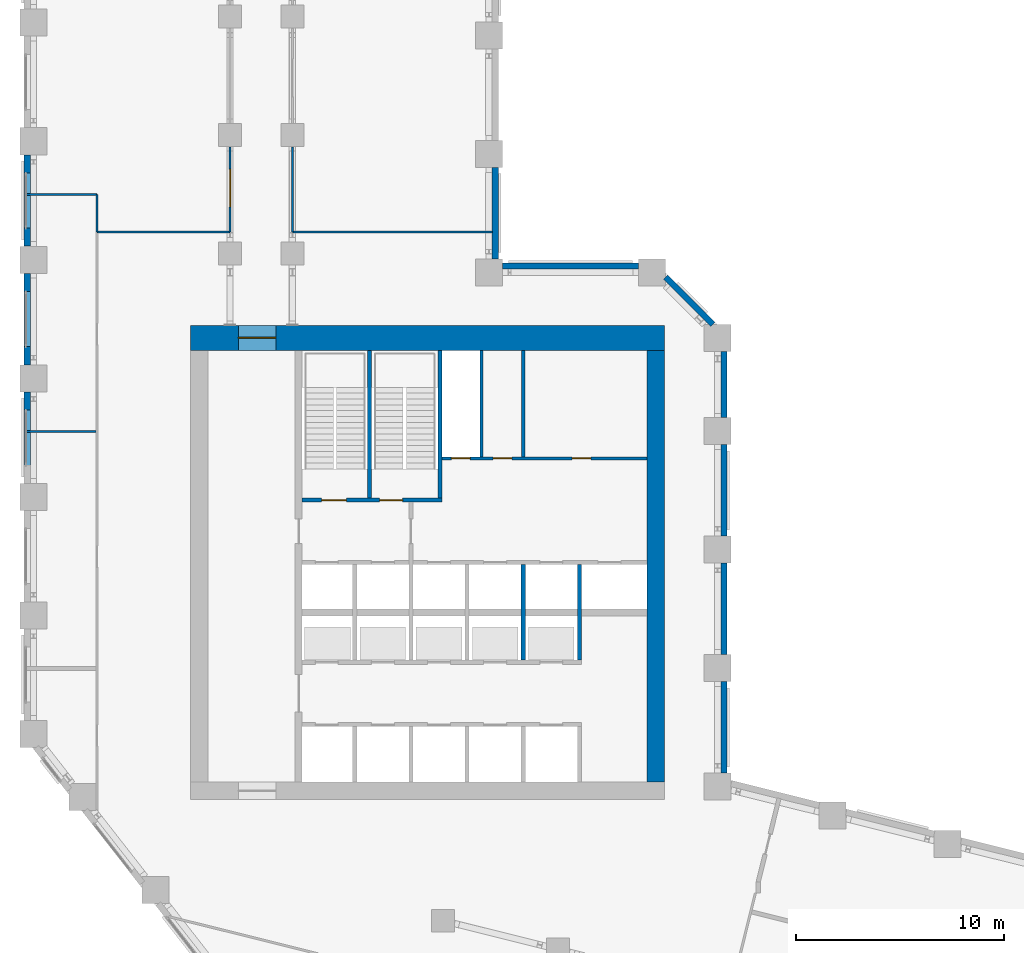
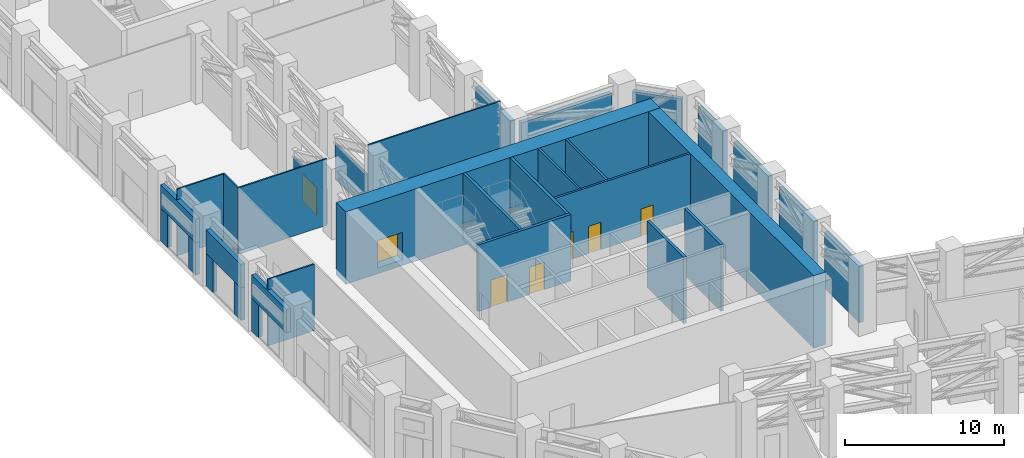
# One storey, part 15 of 21: 32 walls, 7 doors, 7 openings.
"""IFC4 building model written with IfcOpenShell, lengths in metres."""

from ifc_helpers import new_model, si_unit, direction, frame, frame_2d, origin, place, context, subcontext, project, spatial, rectangle, extrude, material, layer, layer_set, type_object, element, fill, save


model = new_model("IFC4")

# Units and contexts
model_context = context("Model", 3, precision=1e-05, world=origin(), true_north=direction((0.0, 1.0)))
body_context = subcontext(model_context, "Body", "Model", "MODEL_VIEW")
ifc_project = project(units=[si_unit("LENGTHUNIT", "METRE"), si_unit("AREAUNIT", "SQUARE_METRE"), si_unit("VOLUMEUNIT", "CUBIC_METRE"), si_unit("PLANEANGLEUNIT", "RADIAN"), si_unit("MASSUNIT", "GRAM", prefix="KILO")], contexts=[model_context])

# Site, building, storey
site_placement = place(None, origin())
site = spatial("IfcSite", under=ifc_project, at=site_placement, CompositionType="ELEMENT")
building_placement = place(site_placement, origin())
building = spatial("IfcBuilding", under=site, at=building_placement, Name="Meshkara Civic Tower", CompositionType="ELEMENT")
storey_placement = place(building_placement, frame((0.0, 0.0, 156.0)))
storey = spatial("IfcBuildingStorey", under=building, at=storey_placement, Name="L35", CompositionType="ELEMENT", Elevation=156.0)

# Wall, openings, doors
ifc_material_1 = material(Name="Blockwork", Category="masonry")
ifc_layer_1 = layer(ifc_material_1, 0.14990234375)
ifc_layer_set_1 = layer_set([ifc_layer_1], Name="Core partition 150")
wall_type_1 = type_object("IfcWallType", Name="Core partition 150", PredefinedType="PARTITIONING", material=ifc_layer_set_1)
wall_1_placement = place(storey_placement, frame((20.10009765625, 30.5, 0.0), z_axis=(0.0, 0.0, 1.0), x_axis=(1.0, 0.0, 0.0)))
wall_1 = element("IfcWall", 1, at=wall_1_placement, inside=storey, type_object=wall_type_1, Name="L35-C010", PredefinedType="PARTITIONING", context=body_context, shape_type="SweptSolid", body=[
    extrude(rectangle(XDim=9.849853515625, YDim=0.14990234375, at=frame_2d((4.9248046875, 0.0))), origin(), (0.0, 0.0, 1.0), 5.10009765625),
])
opening_1_placement = place(wall_1_placement, frame((0.449951171875, 0.0, 0.0)))
opening_1 = element("IfcOpeningElement", 2, at=opening_1_placement, cuts=wall_1, Name="Opening L35-K017", PredefinedType="OPENING", context=body_context, shape_type="SweptSolid", body=[
    extrude(rectangle(XDim=0.89990234375, YDim=2.10009765625, at=frame_2d((0.449951171875, 1.050048828125))), frame((0.0, 0.0849609375, 0.0), z_axis=(0.0, -1.0, 0.0), x_axis=(1.0, 0.0, 0.0)), (0.0, 0.0, 1.0), 0.169921875),
])
opening_2_placement = place(wall_1_placement, frame((2.449951171875, 0.0, 0.0)))
opening_2 = element("IfcOpeningElement", 3, at=opening_2_placement, cuts=wall_1, Name="Opening L35-K018", PredefinedType="OPENING", context=body_context, shape_type="SweptSolid", body=[
    extrude(rectangle(XDim=0.89990234375, YDim=2.10009765625, at=frame_2d((0.449951171875, 1.050048828125))), frame((0.0, 0.0849609375, 0.0), z_axis=(0.0, -1.0, 0.0), x_axis=(1.0, 0.0, 0.0)), (0.0, 0.0, 1.0), 0.169921875),
])
opening_3_placement = place(wall_1_placement, frame((6.25, 0.0, 0.0)))
opening_3 = element("IfcOpeningElement", 4, at=opening_3_placement, cuts=wall_1, Name="Opening L35-K019", PredefinedType="OPENING", context=body_context, shape_type="SweptSolid", body=[
    extrude(rectangle(XDim=0.89990234375, YDim=2.10009765625, at=frame_2d((0.449951171875, 1.050048828125))), frame((0.0, 0.0849609375, 0.0), z_axis=(0.0, -1.0, 0.0), x_axis=(1.0, 0.0, 0.0)), (0.0, 0.0, 1.0), 0.169921875),
])
ifc_material_2 = material(Name="Timber door leaf in steel frame", Category="steel")
door_type_1 = type_object("IfcDoorType", Name="Core room door 900", OperationType="SINGLE_SWING_LEFT", PredefinedType="DOOR", material=ifc_material_2)
door_1_placement = place(opening_3_placement, origin())
door_1 = element("IfcDoor", 5, at=door_1_placement, inside=storey, type_object=door_type_1, Name="L35-K019", OperationType="SINGLE_SWING_RIGHT", OverallHeight=2.10009765625, OverallWidth=0.89990234375, PredefinedType="DOOR", context=body_context, shape_type="SweptSolid", body=[
    extrude(rectangle(XDim=0.89990234375, YDim=2.10009765625, at=frame_2d((0.449951171875, 1.050048828125))), frame((0.0, 0.02490234375, 0.0), z_axis=(0.0, -1.0, 0.0), x_axis=(1.0, 0.0, 0.0)), (0.0, 0.0, 1.0), 0.050048828125),
])
fill(opening_3, door_1)
ifc_material_3 = material(Name="Fire-rated door leaf in steel frame", Category="steel")
door_type_2 = type_object("IfcDoorType", Name="Riser door 900", OperationType="SINGLE_SWING_LEFT", PredefinedType="DOOR", material=ifc_material_3)
door_2_placement = place(opening_1_placement, origin())
door_2 = element("IfcDoor", 6, at=door_2_placement, inside=storey, type_object=door_type_2, Name="L35-K017", OperationType="SINGLE_SWING_RIGHT", OverallHeight=2.10009765625, OverallWidth=0.89990234375, PredefinedType="DOOR", context=body_context, shape_type="SweptSolid", body=[
    extrude(rectangle(XDim=0.89990234375, YDim=2.10009765625, at=frame_2d((0.449951171875, 1.050048828125))), frame((0.0, 0.02490234375, 0.0), z_axis=(0.0, -1.0, 0.0), x_axis=(1.0, 0.0, 0.0)), (0.0, 0.0, 1.0), 0.050048828125),
])
fill(opening_1, door_2)
ifc_material_4 = material(Name="Timber door leaf in steel frame", Category="steel")
door_type_3 = type_object("IfcDoorType", Name="WC door 900", OperationType="SINGLE_SWING_LEFT", PredefinedType="DOOR", material=ifc_material_4)
door_3_placement = place(opening_2_placement, origin())
door_3 = element("IfcDoor", 7, at=door_3_placement, inside=storey, type_object=door_type_3, Name="L35-K018", OperationType="SINGLE_SWING_LEFT", OverallHeight=2.10009765625, OverallWidth=0.89990234375, PredefinedType="DOOR", context=body_context, shape_type="SweptSolid", body=[
    extrude(rectangle(XDim=0.89990234375, YDim=2.10009765625, at=frame_2d((0.449951171875, 1.050048828125))), frame((0.0, 0.02490234375, 0.0), z_axis=(0.0, -1.0, 0.0), x_axis=(1.0, 0.0, 0.0)), (0.0, 0.0, 1.0), 0.050048828125),
])
fill(opening_2, door_3)

# Walls
for number, where, z_axis, x_axis, name in (
    (8, (22.0, 30.574951171875, 0.0), (0.0, 0.0, 1.0), (0.0, 1.0, 0.0), "L35-C020"),
    (9, (24.0, 30.574951171875, 0.0), (0.0, 0.0, 1.0), (0.0, 1.0, 0.0), "L35-C023"),
):
    element("IfcWall", number, at=place(storey_placement, frame(where, z_axis=z_axis, x_axis=x_axis)), inside=storey, type_object=wall_type_1, Name=name, PredefinedType="PARTITIONING", context=body_context, shape_type="SweptSolid", body=[
        extrude(rectangle(XDim=5.125, YDim=0.14990234375, at=frame_2d((2.5625, 0.0))), origin(), (0.0, 0.0, 1.0), 5.10009765625),
    ])

# Wall, opening, door
ifc_material_5 = material(Name="Concrete C70", Category="concrete")
ifc_layer_2 = layer(ifc_material_5, 1.199951171875)
ifc_layer_set_2 = layer_set([ifc_layer_2], Name="Core ring wall 1200 C70")
wall_type_2 = type_object("IfcWallType", Name="Core ring wall 1200 C70", PredefinedType="SHEAR", material=ifc_layer_set_2)
wall_2_placement = place(storey_placement, frame((8.0, 36.300048828125, -0.449951171875), z_axis=(0.0, 0.0, 1.0), x_axis=(1.0, 0.0, 0.0)))
wall_2 = element("IfcWall", 10, at=wall_2_placement, inside=storey, type_object=wall_type_2, Name="L35-C002", PredefinedType="SHEAR", context=body_context, shape_type="SweptSolid", body=[
    extrude(rectangle(XDim=22.800048828125, YDim=1.199951171875, at=frame_2d((11.39990234375, 0.0))), origin(), (0.0, 0.0, 1.0), 5.550048828125),
])
opening_4_placement = place(wall_2_placement, frame((2.300048828125, 0.0, 0.449951171875)))
opening_4 = element("IfcOpeningElement", 11, at=opening_4_placement, cuts=wall_2, Name="Opening L35-K025", PredefinedType="OPENING", context=body_context, shape_type="SweptSolid", body=[
    extrude(rectangle(XDim=1.800048828125, YDim=2.10009765625, at=frame_2d((0.89990234375, 1.050048828125))), frame((0.0, 0.60986328125, 0.0), z_axis=(0.0, -1.0, 0.0), x_axis=(1.0, 0.0, 0.0)), (0.0, 0.0, 1.0), 1.219970703125),
])
ifc_material_6 = material(Name="Fire-rated door leaf in steel frame", Category="steel")
door_type_4 = type_object("IfcDoorType", Name="Core double door 1800 EI 60", OperationType="DOUBLE_DOOR_SINGLE_SWING", PredefinedType="DOOR", material=ifc_material_6)
door_4_placement = place(opening_4_placement, origin())
door_4 = element("IfcDoor", 12, at=door_4_placement, inside=storey, type_object=door_type_4, Name="L35-K025", OperationType="DOUBLE_DOOR_SINGLE_SWING", OverallHeight=2.10009765625, OverallWidth=1.800048828125, PredefinedType="DOOR", context=body_context, shape_type="SweptSolid", body=[
    extrude(rectangle(XDim=1.800048828125, YDim=2.10009765625, at=frame_2d((0.89990234375, 1.050048828125))), frame((0.0, 0.02490234375, 0.0), z_axis=(0.0, -1.0, 0.0), x_axis=(1.0, 0.0, 0.0)), (0.0, 0.0, 1.0), 0.050048828125),
])
fill(opening_4, door_4)

# Walls
ifc_material_7 = material(Name="Concrete C70", Category="concrete")
ifc_layer_3 = layer(ifc_material_7, 0.85009765625)
ifc_layer_set_3 = layer_set([ifc_layer_3], Name="Core ring wall 850 C70")
wall_type_3 = type_object("IfcWallType", Name="Core ring wall 850 C70", PredefinedType="SHEAR", material=ifc_layer_set_3)
wall_3_placement = place(storey_placement, frame((30.375, 14.949951171875, -0.449951171875), z_axis=(0.0, 0.0, 1.0), x_axis=(0.0, 1.0, 0.0)))
element("IfcWall", 13, at=wall_3_placement, inside=storey, type_object=wall_type_3, Name="L35-C004", PredefinedType="SHEAR", context=body_context, shape_type="SweptSolid", body=[
    extrude(rectangle(XDim=20.75, YDim=0.85009765625, at=frame_2d((10.375, 0.0))), origin(), (0.0, 0.0, 1.0), 5.550048828125),
])
ifc_material_8 = material(Name="Corridor wall 100")
ifc_layer_4 = layer(ifc_material_8, 0.10009765625)
ifc_layer_set_4 = layer_set([ifc_layer_4], Name="Corridor wall 100")
wall_type_4 = type_object("IfcWallType", Name="Corridor wall 100", PredefinedType="PARTITIONING", material=ifc_layer_set_4)
wall_4_placement = place(storey_placement, frame((9.89990234375, 41.39990234375, 0.0), z_axis=(0.0, 0.0, 1.0), x_axis=(-1.0, 0.0, 0.0)))
element("IfcWall", 14, at=wall_4_placement, inside=storey, type_object=wall_type_4, Name="L35-R004", PredefinedType="PARTITIONING", context=body_context, shape_type="SweptSolid", body=[
    extrude(rectangle(XDim=6.39990234375, YDim=0.10009765625, at=frame_2d((3.199951171875, 0.0))), origin(), (0.0, 0.0, 1.0), 5.10009765625),
])

# Wall, opening, door
wall_5_placement = place(storey_placement, frame((9.89990234375, 45.47998046875, 0.0), z_axis=(0.0, 0.0, 1.0), x_axis=(0.0, -1.0, 0.0)))
wall_5 = element("IfcWall", 15, at=wall_5_placement, inside=storey, type_object=wall_type_4, Name="L35-R005", PredefinedType="PARTITIONING", context=body_context, shape_type="SweptSolid", body=[
    extrude(rectangle(XDim=4.080078125, YDim=0.10009765625, at=frame_2d((2.0400390625, 0.0))), origin(), (0.0, 0.0, 1.0), 2.780029296875),
])
opening_5_placement = place(wall_5_placement, frame((1.080078125, 0.0, 0.0)))
opening_5 = element("IfcOpeningElement", 16, at=opening_5_placement, cuts=wall_5, Name="Opening L35-P013", PredefinedType="OPENING", context=body_context, shape_type="SweptSolid", body=[
    extrude(rectangle(XDim=1.800048828125, YDim=2.10009765625, at=frame_2d((0.89990234375, 1.050048828125))), frame((0.0, 0.06005859375, 0.0), z_axis=(0.0, -1.0, 0.0), x_axis=(1.0, 0.0, 0.0)), (0.0, 0.0, 1.0), 0.1201171875),
])
ifc_material_9 = material(Name="Door pair 1800 x 2100")
door_type_5 = type_object("IfcDoorType", Name="Door pair 1800 x 2100", OperationType="SINGLE_SWING_LEFT", PredefinedType="DOOR", material=ifc_material_9)
door_5_placement = place(opening_5_placement, origin())
door_5 = element("IfcDoor", 17, at=door_5_placement, inside=storey, type_object=door_type_5, Name="L35-P013", OperationType="DOUBLE_DOOR_SINGLE_SWING", OverallHeight=2.10009765625, OverallWidth=1.800048828125, PredefinedType="DOOR", context=body_context, shape_type="SweptSolid", body=[
    extrude(rectangle(XDim=1.800048828125, YDim=2.10009765625, at=frame_2d((0.89990234375, 1.050048828125))), frame((0.0, 0.02490234375, 0.0), z_axis=(0.0, -1.0, 0.0), x_axis=(1.0, 0.0, 0.0)), (0.0, 0.0, 1.0), 0.050048828125),
])
fill(opening_5, door_5)

# Walls
wall_6_placement = place(storey_placement, frame((12.89990234375, 41.39990234375, 0.0), z_axis=(0.0, 0.0, 1.0), x_axis=(0.0, 1.0, 0.0)))
element("IfcWall", 18, at=wall_6_placement, inside=storey, type_object=wall_type_4, Name="L35-R008", PredefinedType="PARTITIONING", context=body_context, shape_type="SweptSolid", body=[
    extrude(rectangle(XDim=4.080078125, YDim=0.10009765625, at=frame_2d((2.0400390625, 0.0))), origin(), (0.0, 0.0, 1.0), 2.780029296875),
])
wall_7_placement = place(storey_placement, frame((22.52001953125, 41.39990234375, 0.0), z_axis=(0.0, 0.0, 1.0), x_axis=(-1.0, 0.0, 0.0)))
element("IfcWall", 19, at=wall_7_placement, inside=storey, type_object=wall_type_4, Name="L35-R014", PredefinedType="PARTITIONING", context=body_context, shape_type="SweptSolid", body=[
    extrude(rectangle(XDim=9.6201171875, YDim=0.10009765625, at=frame_2d((4.81005859375, 0.0))), origin(), (0.0, 0.0, 1.0), 5.10009765625),
])
ifc_material_10 = material(Name="Insulated infill panel with bronze anodised aluminium cladding", Category="aluminium")
ifc_layer_5 = layer(ifc_material_10, 0.300048828125)
ifc_layer_set_5 = layer_set([ifc_layer_5], Name="EXTERNAL INFILL WALL 300")
wall_type_5 = type_object("IfcWallType", Name="EXTERNAL INFILL WALL 300", PredefinedType="SOLIDWALL", material=ifc_layer_set_5)
wall_8_placement = place(storey_placement, frame((33.64990234375, 15.368896484375, 0.0), z_axis=(0.0, 0.0, 1.0), x_axis=(0.0, 1.0, 0.0)))
element("IfcWall", 20, at=wall_8_placement, inside=storey, type_object=wall_type_5, Name="External wall", PredefinedType="SOLIDWALL", context=body_context, shape_type="SweptSolid", body=[
    extrude(rectangle(XDim=4.400146484375, YDim=0.300048828125, at=frame_2d((2.2001953125, 0.0))), origin(), (0.0, 0.0, 1.0), 4.300048828125),
])
for number, where, z_axis, x_axis, name in (
    (21, (33.64990234375, 21.069091796875, 0.0), (0.0, 0.0, 1.0), (0.0, 1.0, 0.0), "External wall"),
    (22, (33.64990234375, 26.77001953125, 0.0), (0.0, 0.0, 1.0), (0.0, 1.0, 0.0), "External wall"),
):
    element("IfcWall", number, at=place(storey_placement, frame(where, z_axis=z_axis, x_axis=x_axis)), inside=storey, type_object=wall_type_5, Name=name, PredefinedType="SOLIDWALL", context=body_context, shape_type="SweptSolid", body=[
        extrude(rectangle(XDim=4.39892578125, YDim=0.300048828125, at=frame_2d((2.199462890625, 0.0))), origin(), (0.0, 0.0, 1.0), 4.300048828125),
    ])
wall_9_placement = place(storey_placement, frame((33.64990234375, 32.468994140625, 0.0), z_axis=(0.0, 0.0, 1.0), x_axis=(0.0, 1.0, 0.0)))
element("IfcWall", 23, at=wall_9_placement, inside=storey, type_object=wall_type_5, Name="External wall", PredefinedType="SOLIDWALL", context=body_context, shape_type="SweptSolid", body=[
    extrude(rectangle(XDim=3.175048828125, YDim=0.300048828125, at=frame_2d((1.58740234375, 0.0))), origin(), (0.0, 0.0, 1.0), 4.300048828125),
])
wall_10_placement = place(storey_placement, frame((33.1240234375, 36.944091796875, 0.0), z_axis=(0.0, 0.0, 1.0), x_axis=(-0.707106781187, 0.707106781187, 0.0)))
element("IfcWall", 24, at=wall_10_placement, inside=storey, type_object=wall_type_5, Name="External wall", PredefinedType="SOLIDWALL", context=body_context, shape_type="SweptSolid", body=[
    extrude(rectangle(XDim=3.224365234375, YDim=0.300048828125, at=frame_2d((1.6123046875, 0.0))), origin(), (0.0, 0.0, 1.0), 4.300048828125),
])
wall_11_placement = place(storey_placement, frame((29.5439453125, 39.75, 0.0), z_axis=(0.0, 0.0, 1.0), x_axis=(-1.0, 0.0, 0.0)))
element("IfcWall", 25, at=wall_11_placement, inside=storey, type_object=wall_type_5, Name="External wall", PredefinedType="SOLIDWALL", context=body_context, shape_type="SweptSolid", body=[
    extrude(rectangle(XDim=6.5439453125, YDim=0.300048828125, at=frame_2d((3.27197265625, 0.0))), origin(), (0.0, 0.0, 1.0), 4.300048828125),
])
wall_12_placement = place(storey_placement, frame((22.64990234375, 40.10107421875, 0.0), z_axis=(0.0, 0.0, 1.0), x_axis=(0.0, 1.0, 0.0)))
element("IfcWall", 26, at=wall_12_placement, inside=storey, type_object=wall_type_5, Name="External wall", PredefinedType="SOLIDWALL", context=body_context, shape_type="SweptSolid", body=[
    extrude(rectangle(XDim=4.39794921875, YDim=0.300048828125, at=frame_2d((2.198974609375, 0.0))), origin(), (0.0, 0.0, 1.0), 4.300048828125),
])
wall_13_placement = place(storey_placement, frame((0.14990234375, 45.10498046875, 2.5), z_axis=(0.0, 0.0, 1.0), x_axis=(0.0, -1.0, 0.0)))
element("IfcWall", 27, at=wall_13_placement, inside=storey, type_object=wall_type_5, Name="External wall", PredefinedType="SOLIDWALL", context=body_context, shape_type="SweptSolid", body=[
    extrude(rectangle(XDim=4.39892578125, YDim=0.300048828125, at=frame_2d((2.199462890625, 0.0))), origin(), (0.0, 0.0, 1.0), 1.800048828125),
])
wall_14_placement = place(storey_placement, frame((0.14990234375, 39.404052734375, 2.5), z_axis=(0.0, 0.0, 1.0), x_axis=(0.0, -1.0, 0.0)))
element("IfcWall", 28, at=wall_14_placement, inside=storey, type_object=wall_type_5, Name="External wall", PredefinedType="SOLIDWALL", context=body_context, shape_type="SweptSolid", body=[
    extrude(rectangle(XDim=4.399169921875, YDim=0.300048828125, at=frame_2d((2.19970703125, 0.0))), origin(), (0.0, 0.0, 1.0), 1.800048828125),
])
wall_15_placement = place(storey_placement, frame((0.14990234375, 33.7041015625, 2.5), z_axis=(0.0, 0.0, 1.0), x_axis=(0.0, -1.0, 0.0)))
element("IfcWall", 29, at=wall_15_placement, inside=storey, type_object=wall_type_5, Name="External wall", PredefinedType="SOLIDWALL", context=body_context, shape_type="SweptSolid", body=[
    extrude(rectangle(XDim=4.398193359375, YDim=0.300048828125, at=frame_2d((2.19921875, 0.0))), origin(), (0.0, 0.0, 1.0), 1.800048828125),
])
ifc_material_11 = material(Name="Partition 100")
ifc_layer_6 = layer(ifc_material_11, 0.10009765625)
ifc_layer_set_6 = layer_set([ifc_layer_6], Name="Partition 100")
wall_type_6 = type_object("IfcWallType", Name="Partition 100", PredefinedType="PARTITIONING", material=ifc_layer_set_6)
wall_16_placement = place(storey_placement, frame((0.073974609375, 43.199951171875, 0.0), z_axis=(0.0, 0.0, 1.0), x_axis=(1.0, 0.0, 0.0)))
element("IfcWall", 30, at=wall_16_placement, inside=storey, type_object=wall_type_6, Name="L35-R032", PredefinedType="PARTITIONING", context=body_context, shape_type="SweptSolid", body=[
    extrude(rectangle(XDim=3.426025390625, YDim=0.10009765625, at=frame_2d((1.712890625, 0.0))), origin(), (0.0, 0.0, 1.0), 5.10009765625),
])
wall_17_placement = place(storey_placement, frame((3.449951171875, 31.800048828125, 0.0), z_axis=(0.0, 0.0, 1.0), x_axis=(-1.0, 0.0, 0.0)))
element("IfcWall", 31, at=wall_17_placement, inside=storey, type_object=wall_type_6, Name="L35-R034", PredefinedType="PARTITIONING", context=body_context, shape_type="SweptSolid", body=[
    extrude(rectangle(XDim=3.3759765625, YDim=0.10009765625, at=frame_2d((1.68798828125, 0.0))), origin(), (0.0, 0.0, 1.0), 5.10009765625),
])
wall_18_placement = place(storey_placement, frame((3.5, 43.199951171875, 0.0), z_axis=(0.0, 0.0, 1.0), x_axis=(0.0, -1.0, 0.0)))
element("IfcWall", 32, at=wall_18_placement, inside=storey, type_object=wall_type_6, Name="L35-R035", PredefinedType="PARTITIONING", context=body_context, shape_type="SweptSolid", body=[
    extrude(rectangle(XDim=1.803955078125, YDim=0.10009765625, at=frame_2d((0.90185546875, 0.0))), origin(), (0.0, 0.0, 1.0), 5.10009765625),
])
ifc_material_12 = material(Name="Concrete C50", Category="concrete")
ifc_layer_7 = layer(ifc_material_12, 0.300048828125)
ifc_layer_set_7 = layer_set([ifc_layer_7], Name="SKY LOBBY PIER 300")
wall_type_7 = type_object("IfcWallType", Name="SKY LOBBY PIER 300", PredefinedType="SOLIDWALL", material=ifc_layer_set_7)
wall_19_placement = place(storey_placement, frame((0.14990234375, 45.10498046875, 0.0), z_axis=(0.0, 0.0, 1.0), x_axis=(0.0, -1.0, 0.0)))
element("IfcWall", 33, at=wall_19_placement, inside=storey, type_object=wall_type_7, Name="Sky lobby pier", PredefinedType="SOLIDWALL", context=body_context, shape_type="SweptSolid", body=[
    extrude(rectangle(XDim=0.8798828125, YDim=0.300048828125, at=frame_2d((0.43994140625, 0.0))), origin(), (0.0, 0.0, 1.0), 2.5),
])
wall_20_placement = place(storey_placement, frame((0.14990234375, 41.5849609375, 0.0), z_axis=(0.0, 0.0, 1.0), x_axis=(0.0, -1.0, 0.0)))
element("IfcWall", 34, at=wall_20_placement, inside=storey, type_object=wall_type_7, Name="Sky lobby pier", PredefinedType="SOLIDWALL", context=body_context, shape_type="SweptSolid", body=[
    extrude(rectangle(XDim=0.87890625, YDim=0.300048828125, at=frame_2d((0.439453125, 0.0))), origin(), (0.0, 0.0, 1.0), 2.5),
])
wall_21_placement = place(storey_placement, frame((0.14990234375, 39.404052734375, 0.0), z_axis=(0.0, 0.0, 1.0), x_axis=(0.0, -1.0, 0.0)))
element("IfcWall", 35, at=wall_21_placement, inside=storey, type_object=wall_type_7, Name="Sky lobby pier", PredefinedType="SOLIDWALL", context=body_context, shape_type="SweptSolid", body=[
    extrude(rectangle(XDim=0.879150390625, YDim=0.300048828125, at=frame_2d((0.439453125, 0.0))), origin(), (0.0, 0.0, 1.0), 2.5),
])
wall_22_placement = place(storey_placement, frame((0.14990234375, 35.885986328125, 0.0), z_axis=(0.0, 0.0, 1.0), x_axis=(0.0, -1.0, 0.0)))
element("IfcWall", 36, at=wall_22_placement, inside=storey, type_object=wall_type_7, Name="Sky lobby pier", PredefinedType="SOLIDWALL", context=body_context, shape_type="SweptSolid", body=[
    extrude(rectangle(XDim=0.881103515625, YDim=0.300048828125, at=frame_2d((0.4404296875, 0.0))), origin(), (0.0, 0.0, 1.0), 2.5),
])
wall_23_placement = place(storey_placement, frame((0.14990234375, 33.7041015625, 0.0), z_axis=(0.0, 0.0, 1.0), x_axis=(0.0, -1.0, 0.0)))
element("IfcWall", 37, at=wall_23_placement, inside=storey, type_object=wall_type_7, Name="Sky lobby pier", PredefinedType="SOLIDWALL", context=body_context, shape_type="SweptSolid", body=[
    extrude(rectangle(XDim=0.880126953125, YDim=0.300048828125, at=frame_2d((0.43994140625, 0.0))), origin(), (0.0, 0.0, 1.0), 2.5),
])
ifc_material_13 = material(Name="Concrete C40/50", Category="concrete")
ifc_layer_8 = layer(ifc_material_13, 0.199951171875)
ifc_layer_set_8 = layer_set([ifc_layer_8], Name="Shaft wall 200 C40/50")
wall_type_8 = type_object("IfcWallType", Name="Shaft wall 200 C40/50", PredefinedType="SOLIDWALL", material=ifc_layer_set_8)
for number, where, z_axis, x_axis, name in (
    (38, (24.0, 20.800048828125, 0.0), (0.0, 0.0, 1.0), (0.0, 1.0, 0.0), "L35-C022"),
    (39, (26.699951171875, 20.800048828125, 0.0), (0.0, 0.0, 1.0), (0.0, 1.0, 0.0), "L35-C025"),
):
    element("IfcWall", number, at=place(storey_placement, frame(where, z_axis=z_axis, x_axis=x_axis)), inside=storey, type_object=wall_type_8, Name=name, PredefinedType="SOLIDWALL", context=body_context, shape_type="SweptSolid", body=[
        extrude(rectangle(XDim=4.599853515625, YDim=0.199951171875, at=frame_2d((2.2998046875, 0.0))), origin(), (0.0, 0.0, 1.0), 5.10009765625),
    ])

# Wall, openings, doors
ifc_material_14 = material(Name="Concrete C40/50", Category="concrete")
ifc_layer_9 = layer(ifc_material_14, 0.199951171875)
ifc_layer_set_9 = layer_set([ifc_layer_9], Name="Stair enclosure wall 200 C40/50")
wall_type_9 = type_object("IfcWallType", Name="Stair enclosure wall 200 C40/50", PredefinedType="SOLIDWALL", material=ifc_layer_set_9)
wall_24_placement = place(storey_placement, frame((13.3701171875, 28.5, 0.0), z_axis=(0.0, 0.0, 1.0), x_axis=(1.0, 0.0, 0.0)))
wall_24 = element("IfcWall", 40, at=wall_24_placement, inside=storey, type_object=wall_type_9, Name="L35-C009", PredefinedType="SOLIDWALL", context=body_context, shape_type="SweptSolid", body=[
    extrude(rectangle(XDim=6.72998046875, YDim=0.199951171875, at=frame_2d((3.364990234375, 0.0))), origin(), (0.0, 0.0, 1.0), 5.10009765625),
])
opening_6_placement = place(wall_24_placement, frame((0.929931640625, 0.0, 0.0)))
opening_6 = element("IfcOpeningElement", 41, at=opening_6_placement, cuts=wall_24, Name="Opening L35-K020", PredefinedType="OPENING", context=body_context, shape_type="SweptSolid", body=[
    extrude(rectangle(XDim=1.199951171875, YDim=2.10009765625, at=frame_2d((0.60009765625, 1.050048828125))), frame((0.0, 0.10986328125, 0.0), z_axis=(0.0, -1.0, 0.0), x_axis=(1.0, 0.0, 0.0)), (0.0, 0.0, 1.0), 0.219970703125),
])
opening_7_placement = place(wall_24_placement, frame((3.72998046875, 0.0, 0.0)))
opening_7 = element("IfcOpeningElement", 42, at=opening_7_placement, cuts=wall_24, Name="Opening L35-K021", PredefinedType="OPENING", context=body_context, shape_type="SweptSolid", body=[
    extrude(rectangle(XDim=1.10009765625, YDim=2.10009765625, at=frame_2d((0.550048828125, 1.050048828125))), frame((0.0, 0.10986328125, 0.0), z_axis=(0.0, -1.0, 0.0), x_axis=(1.0, 0.0, 0.0)), (0.0, 0.0, 1.0), 0.219970703125),
])
ifc_material_15 = material(Name="Fire-rated door leaf in steel frame", Category="steel")
door_type_6 = type_object("IfcDoorType", Name="Stair door 1100 EI 120", OperationType="SINGLE_SWING_LEFT", PredefinedType="DOOR", material=ifc_material_15)
door_6_placement = place(opening_7_placement, origin())
door_6 = element("IfcDoor", 43, at=door_6_placement, inside=storey, type_object=door_type_6, Name="L35-K021", OperationType="SINGLE_SWING_LEFT", OverallHeight=2.10009765625, OverallWidth=1.10009765625, PredefinedType="DOOR", context=body_context, shape_type="SweptSolid", body=[
    extrude(rectangle(XDim=1.10009765625, YDim=2.10009765625, at=frame_2d((0.550048828125, 1.050048828125))), frame((0.0, 0.02490234375, 0.0), z_axis=(0.0, -1.0, 0.0), x_axis=(1.0, 0.0, 0.0)), (0.0, 0.0, 1.0), 0.050048828125),
])
fill(opening_7, door_6)
ifc_material_16 = material(Name="Fire-rated door leaf in steel frame", Category="steel")
door_type_7 = type_object("IfcDoorType", Name="Stair door 1200 EI 120", OperationType="SINGLE_SWING_LEFT", PredefinedType="DOOR", material=ifc_material_16)
door_7_placement = place(opening_6_placement, origin())
door_7 = element("IfcDoor", 44, at=door_7_placement, inside=storey, type_object=door_type_7, Name="L35-K020", OperationType="SINGLE_SWING_RIGHT", OverallHeight=2.10009765625, OverallWidth=1.199951171875, PredefinedType="DOOR", context=body_context, shape_type="SweptSolid", body=[
    extrude(rectangle(XDim=1.199951171875, YDim=2.10009765625, at=frame_2d((0.60009765625, 1.050048828125))), frame((0.0, 0.02490234375, 0.0), z_axis=(0.0, -1.0, 0.0), x_axis=(1.0, 0.0, 0.0)), (0.0, 0.0, 1.0), 0.050048828125),
])
fill(opening_6, door_7)

# Walls
for number, where, z_axis, x_axis, name in (
    (45, (16.60009765625, 28.60009765625, 0.0), (0.0, 0.0, 1.0), (0.0, 1.0, 0.0), "L35-C014"),
    (46, (20.0, 28.60009765625, 0.0), (0.0, 0.0, 1.0), (0.0, 1.0, 0.0), "L35-C017"),
):
    element("IfcWall", number, at=place(storey_placement, frame(where, z_axis=z_axis, x_axis=x_axis)), inside=storey, type_object=wall_type_9, Name=name, PredefinedType="SOLIDWALL", context=body_context, shape_type="SweptSolid", body=[
        extrude(rectangle(XDim=7.099853515625, YDim=0.199951171875, at=frame_2d((3.5498046875, 0.0))), origin(), (0.0, 0.0, 1.0), 5.10009765625),
    ])

save(model, "model.ifc")
